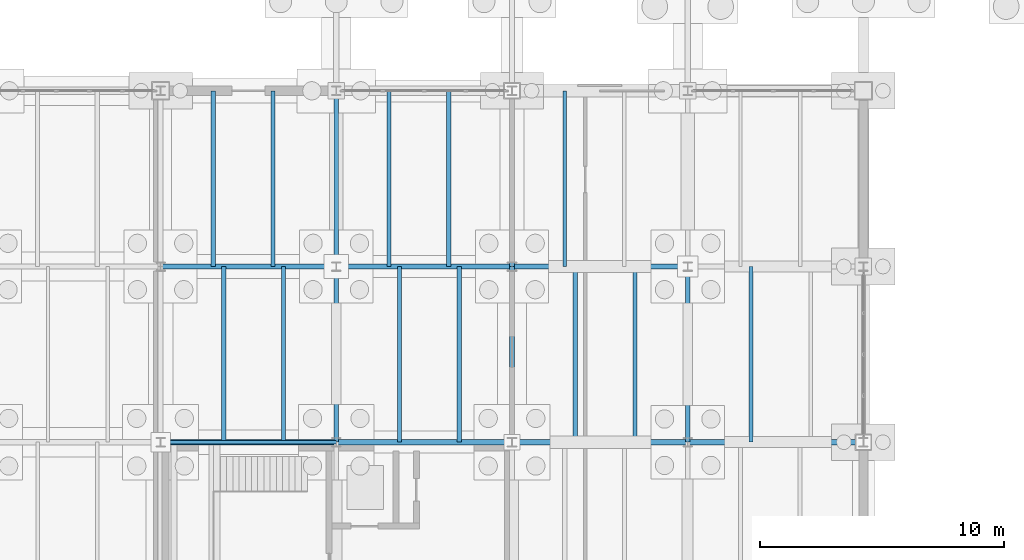
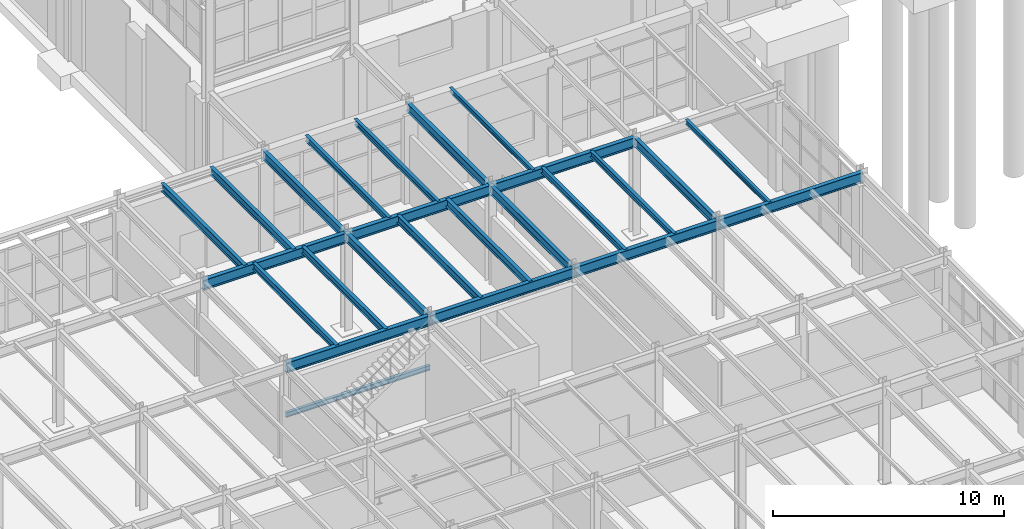
# One storey, part 100 of 293: 25 beams.
"""IFC4 building model written with IfcOpenShell, lengths in metres."""

from ifc_helpers import new_model, si_unit, direction, frame, origin, origin_2d, place, context, subcontext, project, spatial, i_section, extrude, material, material_profile, profile_set, type_object, element, save


model = new_model("IFC4")

# Units and contexts
model_context = context("Model", 3, precision=1e-05, world=origin(), true_north=direction((0.0, 1.0)))
body_context = subcontext(model_context, "Body", "Model", "MODEL_VIEW")
ifc_project = project(units=[si_unit("LENGTHUNIT", "METRE"), si_unit("AREAUNIT", "SQUARE_METRE"), si_unit("VOLUMEUNIT", "CUBIC_METRE"), si_unit("PLANEANGLEUNIT", "RADIAN"), si_unit("MASSUNIT", "GRAM", prefix="KILO")], contexts=[model_context])

# Site, building, storey
site_placement = place(None, origin())
site = spatial("IfcSite", under=ifc_project, at=site_placement, CompositionType="ELEMENT")
building_placement = place(site_placement, origin())
building = spatial("IfcBuilding", under=site, at=building_placement, Name="Kemerveld Promenade Tramway Depot", CompositionType="ELEMENT")
storey_placement = place(building_placement, origin())
storey = spatial("IfcBuildingStorey", under=building, at=storey_placement, Name="L00", CompositionType="ELEMENT", Elevation=0.0)

# Beams
ifc_material = material(Name="Steel S355", Category="steel")
ifc_material_profile_1 = material_profile(ifc_material, i_section(OverallWidth=0.2099609375, OverallDepth=0.53662109375, WebThickness=0.0107421875, FlangeThickness=0.017333984375, FilletRadius=0.0126953125, at=origin_2d()), Name="533x210x101 UB")
ifc_profile_set_1 = profile_set([ifc_material_profile_1], Name="Steel S355")
beam_type_1 = type_object("IfcBeamType", Name="BM-G05", PredefinedType="BEAM", material=ifc_profile_set_1)
for number, where, z_axis, x_axis, name in (
    (1, (28.800048828125, 64.800048828125, 4.881591796875), (1.0, 0.0, 0.0), (0.0, 1.0, 0.0), "BMX-L00-05-06-K"),
    (2, (36.0, 64.800048828125, 4.881591796875), (1.0, 0.0, 0.0), (0.0, 1.0, 0.0), "BMX-L00-06-07-K"),
    (3, (43.199951171875, 64.800048828125, 4.881591796875), (1.0, 0.0, 0.0), (0.0, 1.0, 0.0), "BMX-L00-07-08-K"),
):
    element("IfcBeam", number, at=place(storey_placement, frame(where, z_axis=z_axis, x_axis=x_axis)), inside=storey, type_object=beam_type_1, Name=name, PredefinedType="BEAM", context=body_context, shape_type="SweptSolid", body=[
        extrude(i_section(OverallWidth=0.2099609375, OverallDepth=0.53662109375, WebThickness=0.0107421875, FlangeThickness=0.017333984375, FilletRadius=0.0126953125, at=origin_2d()), origin(), (0.0, 0.0, 1.0), 7.199951171875),
    ])
beam_placement = place(storey_placement, frame((50.39990234375, 64.800048828125, 4.881591796875), z_axis=(1.0, 0.0, 0.0), x_axis=(0.0, 1.0, 0.0)))
element("IfcBeam", 4, at=beam_placement, inside=storey, type_object=beam_type_1, Name="BMX-L00-08-09-K", PredefinedType="BEAM", context=body_context, shape_type="SweptSolid", body=[
    extrude(i_section(OverallWidth=0.2099609375, OverallDepth=0.53662109375, WebThickness=0.0107421875, FlangeThickness=0.017333984375, FilletRadius=0.0126953125, at=origin_2d()), origin(), (0.0, 0.0, 1.0), 7.2001953125),
])
for number, where, z_axis, x_axis, name in (
    (5, (28.800048828125, 72.0, 4.881591796875), (1.0, 0.0, 0.0), (0.0, 1.0, 0.0), "BMX-L00-05-06-L"),
    (6, (36.0, 72.0, 4.881591796875), (1.0, 0.0, 0.0), (0.0, 1.0, 0.0), "BMX-L00-06-07-L"),
    (7, (43.199951171875, 72.0, 4.881591796875), (1.0, 0.0, 0.0), (0.0, 1.0, 0.0), "BMX-L00-07-08-L"),
):
    element("IfcBeam", number, at=place(storey_placement, frame(where, z_axis=z_axis, x_axis=x_axis)), inside=storey, type_object=beam_type_1, Name=name, PredefinedType="BEAM", context=body_context, shape_type="SweptSolid", body=[
        extrude(i_section(OverallWidth=0.2099609375, OverallDepth=0.53662109375, WebThickness=0.0107421875, FlangeThickness=0.017333984375, FilletRadius=0.0126953125, at=origin_2d()), origin(), (0.0, 0.0, 1.0), 7.199951171875),
    ])
ifc_material_profile_2 = material_profile(ifc_material, i_section(OverallWidth=0.19140625, OverallDepth=0.4599609375, WebThickness=0.010009765625, FlangeThickness=0.01611328125, FilletRadius=0.01025390625, at=origin_2d()), Name="457x191x82 UB")
ifc_profile_set_2 = profile_set([ifc_material_profile_2], Name="Steel S355")
beam_type_2 = type_object("IfcBeamType", Name="BM-G06", PredefinedType="BEAM", material=ifc_profile_set_2)
for number, where, z_axis, x_axis, name in (
    (8, (36.0, 64.800048828125, 4.919921875), (0.0, 1.0, 0.0), (-1.0, 0.0, 0.0), "BMY-L00-06-K-L"),
    (9, (36.0, 72.0, 4.919921875), (0.0, 1.0, 0.0), (-1.0, 0.0, 0.0), "BMY-L00-06-L-M"),
    (10, (43.199951171875, 64.800048828125, 4.919921875), (0.0, 1.0, 0.0), (-1.0, 0.0, 0.0), "BMY-L00-07-K-L"),
    (11, (43.199951171875, 72.0, 4.919921875), (0.0, 1.0, 0.0), (-1.0, 0.0, 0.0), "BMY-L00-07-L-M"),
    (12, (50.39990234375, 64.800048828125, 4.919921875), (0.0, 1.0, 0.0), (-1.0, 0.0, 0.0), "BMY-L00-08-K-L"),
):
    element("IfcBeam", number, at=place(storey_placement, frame(where, z_axis=z_axis, x_axis=x_axis)), inside=storey, type_object=beam_type_2, Name=name, PredefinedType="BEAM", context=body_context, shape_type="SweptSolid", body=[
        extrude(i_section(OverallWidth=0.19140625, OverallDepth=0.4599609375, WebThickness=0.010009765625, FlangeThickness=0.01611328125, FilletRadius=0.01025390625, at=origin_2d()), origin(), (0.0, 0.0, 1.0), 7.199951171875),
    ])
ifc_material_profile_3 = material_profile(ifc_material, i_section(OverallWidth=0.165771484375, OverallDepth=0.306640625, WebThickness=0.006591796875, FlangeThickness=0.01171875, FilletRadius=0.0087890625, at=origin_2d()), Name="305x165x46 UB")
ifc_profile_set_3 = profile_set([ifc_material_profile_3], Name="Steel S355")
beam_type_3 = type_object("IfcBeamType", Name="BM-J01", PredefinedType="JOIST", material=ifc_profile_set_3)
for number, where, z_axis, x_axis, name in (
    (13, (38.159912109375, 72.0, 4.99658203125), (0.0, 1.0, 0.0), (-1.0, 0.0, 0.0), "JST-L00-06-L-1"),
    (14, (40.60791015625, 72.0, 4.99658203125), (0.0, 1.0, 0.0), (-1.0, 0.0, 0.0), "JST-L00-06-L-2"),
    (15, (45.7919921875, 64.800048828125, 4.99658203125), (0.0, 1.0, 0.0), (-1.0, 0.0, 0.0), "JST-L00-07-K-1"),
    (16, (48.239990234375, 64.800048828125, 4.99658203125), (0.0, 1.0, 0.0), (-1.0, 0.0, 0.0), "JST-L00-07-K-2"),
):
    element("IfcBeam", number, at=place(storey_placement, frame(where, z_axis=z_axis, x_axis=x_axis)), inside=storey, type_object=beam_type_3, Name=name, PredefinedType="JOIST", context=body_context, shape_type="SweptSolid", body=[
        extrude(i_section(OverallWidth=0.165771484375, OverallDepth=0.306640625, WebThickness=0.006591796875, FlangeThickness=0.01171875, FilletRadius=0.0087890625, at=origin_2d()), origin(), (0.0, 0.0, 1.0), 7.199951171875),
    ])
ifc_material_profile_4 = material_profile(ifc_material, i_section(OverallWidth=0.146484375, OverallDepth=0.256103515625, WebThickness=0.00634765625, FlangeThickness=0.010986328125, FilletRadius=0.007568359375, at=origin_2d()), Name="254x146x37 UB")
ifc_profile_set_4 = profile_set([ifc_material_profile_4], Name="Steel S355")
beam_type_4 = type_object("IfcBeamType", Name="BM-J02", PredefinedType="JOIST", material=ifc_profile_set_4)
for number, where, z_axis, x_axis, name in (
    (17, (45.360107421875, 72.0, 5.02197265625), (0.0, 1.0, 0.0), (-1.0, 0.0, 0.0), "JST-L00-07-L-1"),
    (18, (52.991943359375, 64.800048828125, 5.02197265625), (0.0, 1.0, 0.0), (-1.0, 0.0, 0.0), "JST-L00-08-K-1"),
    (19, (28.800048828125, 64.800048828125, 2.3720703125), (1.0, 0.0, 0.0), (0.0, 1.0, 0.0), "BM-HLY-ST-03-L00-N"),
):
    element("IfcBeam", number, at=place(storey_placement, frame(where, z_axis=z_axis, x_axis=x_axis)), inside=storey, type_object=beam_type_4, Name=name, PredefinedType="JOIST", context=body_context, shape_type="SweptSolid", body=[
        extrude(i_section(OverallWidth=0.146484375, OverallDepth=0.256103515625, WebThickness=0.00634765625, FlangeThickness=0.010986328125, FilletRadius=0.007568359375, at=origin_2d()), origin(), (0.0, 0.0, 1.0), 7.199951171875),
    ])
ifc_material_profile_5 = material_profile(ifc_material, i_section(OverallWidth=0.172119140625, OverallDepth=0.35791015625, WebThickness=0.008056640625, FlangeThickness=0.012939453125, FilletRadius=0.01025390625, at=origin_2d()), Name="356x171x57 UB")
ifc_profile_set_5 = profile_set([ifc_material_profile_5], Name="Steel S355")
beam_type_5 = type_object("IfcBeamType", Name="BM-J04", PredefinedType="JOIST", material=ifc_profile_set_5)
for number, where, z_axis, x_axis, name in (
    (20, (31.39208984375, 64.800048828125, 4.970947265625), (0.0, 1.0, 0.0), (-1.0, 0.0, 0.0), "JST-L00-05-K-1"),
    (21, (33.840087890625, 64.800048828125, 4.970947265625), (0.0, 1.0, 0.0), (-1.0, 0.0, 0.0), "JST-L00-05-K-2"),
):
    element("IfcBeam", number, at=place(storey_placement, frame(where, z_axis=z_axis, x_axis=x_axis)), inside=storey, type_object=beam_type_5, Name=name, PredefinedType="JOIST", context=body_context, shape_type="SweptSolid", body=[
        extrude(i_section(OverallWidth=0.172119140625, OverallDepth=0.35791015625, WebThickness=0.008056640625, FlangeThickness=0.012939453125, FilletRadius=0.01025390625, at=origin_2d()), origin(), (0.0, 0.0, 1.0), 7.199951171875),
    ])
ifc_material_profile_6 = material_profile(ifc_material, i_section(OverallWidth=0.1787109375, OverallDepth=0.409423828125, WebThickness=0.0087890625, FlangeThickness=0.014404296875, FilletRadius=0.01025390625, at=origin_2d()), Name="406x178x67 UB")
ifc_profile_set_6 = profile_set([ifc_material_profile_6], Name="Steel S355")
beam_type_6 = type_object("IfcBeamType", Name="BM-J05", PredefinedType="JOIST", material=ifc_profile_set_6)
for number, where, z_axis, x_axis, name in (
    (22, (30.9599609375, 72.0, 4.9453125), (0.0, 1.0, 0.0), (-1.0, 0.0, 0.0), "JST-L00-05-L-1"),
    (23, (33.407958984375, 72.0, 4.9453125), (0.0, 1.0, 0.0), (-1.0, 0.0, 0.0), "JST-L00-05-L-2"),
    (24, (38.592041015625, 64.800048828125, 4.9453125), (0.0, 1.0, 0.0), (-1.0, 0.0, 0.0), "JST-L00-06-K-1"),
    (25, (41.0400390625, 64.800048828125, 4.9453125), (0.0, 1.0, 0.0), (-1.0, 0.0, 0.0), "JST-L00-06-K-2"),
):
    element("IfcBeam", number, at=place(storey_placement, frame(where, z_axis=z_axis, x_axis=x_axis)), inside=storey, type_object=beam_type_6, Name=name, PredefinedType="JOIST", context=body_context, shape_type="SweptSolid", body=[
        extrude(i_section(OverallWidth=0.1787109375, OverallDepth=0.409423828125, WebThickness=0.0087890625, FlangeThickness=0.014404296875, FilletRadius=0.01025390625, at=origin_2d()), origin(), (0.0, 0.0, 1.0), 7.199951171875),
    ])

save(model, "model.ifc")
